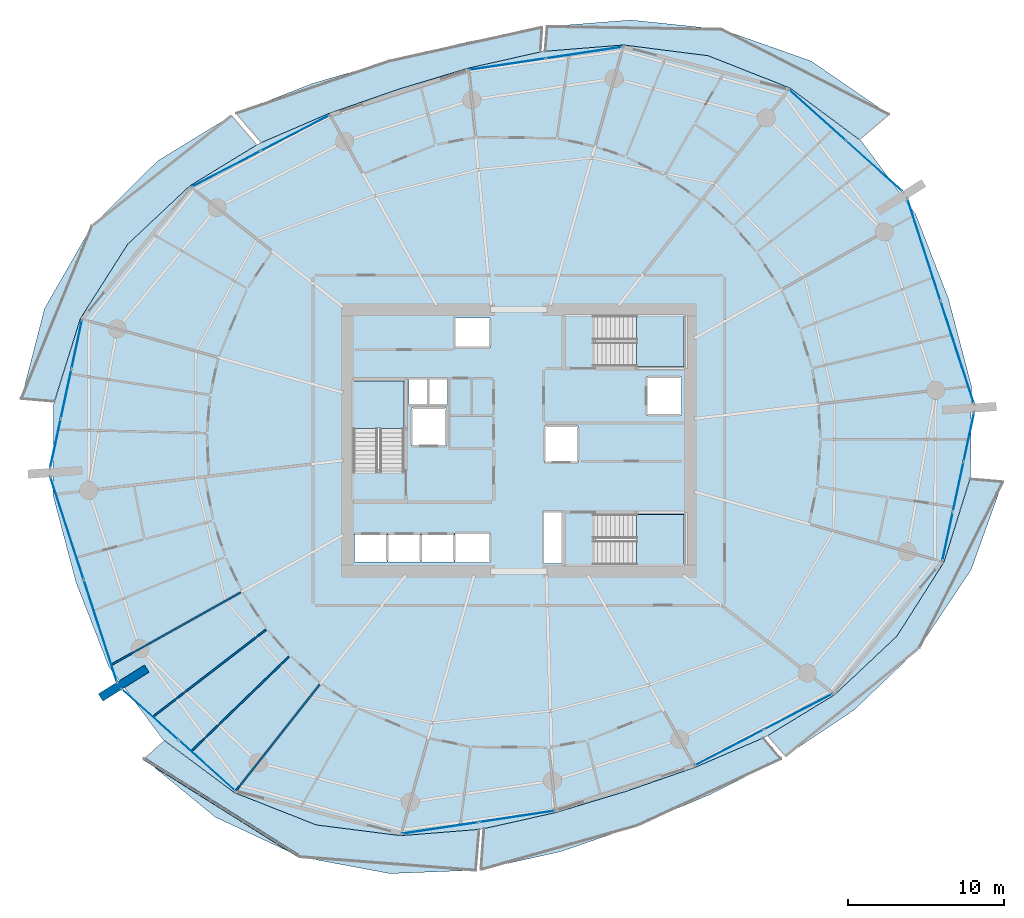
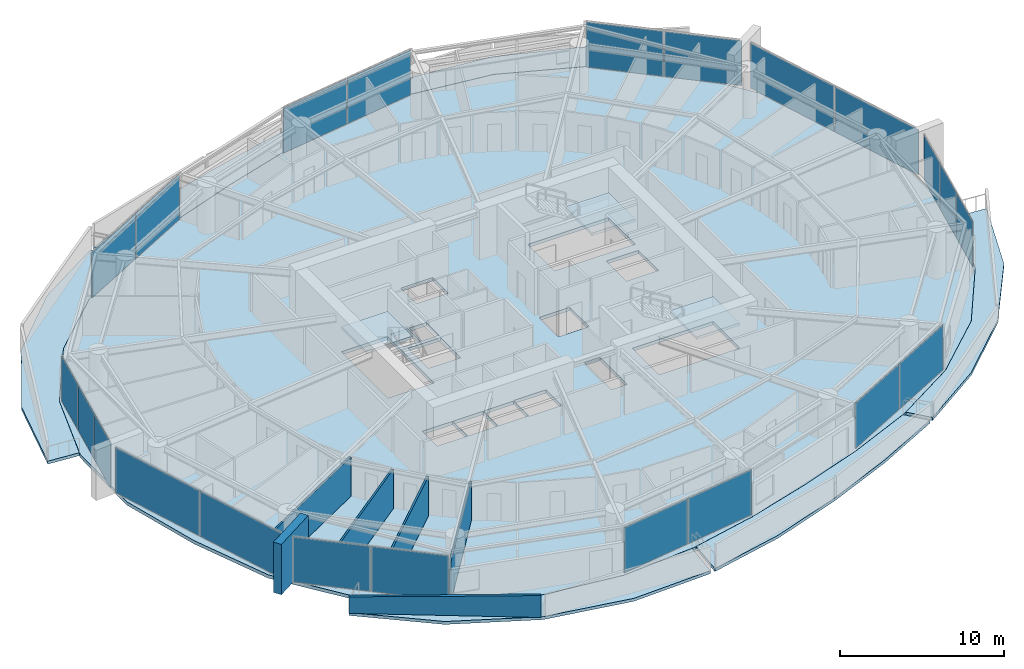
# One storey, part 10 of 23: 22 plates, 10 slabs, 6 walls, 13 elements without a shape of their own.
"""IFC4 building model written with IfcOpenShell, lengths in metres."""

from ifc_helpers import new_model, si_unit, direction, frame, frame_2d, origin, origin_2d, place, context, subcontext, project, spatial, polyline, rectangle, outline, extrude, material, layer, layer_set, type_object, element, aggregate, save


model = new_model("IFC4")

# Units and contexts
model_context = context("Model", 3, precision=1e-05, world=origin(), true_north=direction((0.0, 1.0)))
body_context = subcontext(model_context, "Body", "Model", "MODEL_VIEW")
ifc_project = project(units=[si_unit("LENGTHUNIT", "METRE"), si_unit("AREAUNIT", "SQUARE_METRE"), si_unit("VOLUMEUNIT", "CUBIC_METRE"), si_unit("PLANEANGLEUNIT", "RADIAN"), si_unit("MASSUNIT", "GRAM", prefix="KILO")], contexts=[model_context])

# Site, building, storey
site_placement = place(None, origin())
site = spatial("IfcSite", under=ifc_project, at=site_placement, CompositionType="ELEMENT")
building_placement = place(site_placement, origin())
building = spatial("IfcBuilding", under=site, at=building_placement, Name="Kazma Halo Residences", CompositionType="ELEMENT")
storey_placement = place(building_placement, frame((0.0, 0.0, 108.89990234375)))
storey = spatial("IfcBuildingStorey", under=building, at=storey_placement, Name="L27", CompositionType="ELEMENT", Elevation=108.89990234375)

# Curtain wall, plates
ifc_material_1 = material(Name="Aluminium AW-6063 T6 and Triple-Silver Low-E Glass", Category="aluminium")
ifc_layer_1 = layer(ifc_material_1, 0.199951171875)
ifc_layer_set_1 = layer_set([ifc_layer_1], Name="Aluminium AW-6063 T6 and Triple-Silver Low-E Glass")
curtain_wall_type = type_object("IfcCurtainWallType", Name="CW-SYS-3", PredefinedType="NOTDEFINED", material=ifc_layer_set_1)
curtain_wall_1_placement = place(storey_placement, origin())
curtain_wall_1 = element("IfcCurtainWall", 1, at=curtain_wall_1_placement, inside=storey, type_object=curtain_wall_type, Name="L27 unitised curtain wall B01", PredefinedType="NOTDEFINED")
ifc_material_2 = material(Name="Clear Triple-Silver Low-E Glass IGU", Category="glass")
ifc_layer_2 = layer(ifc_material_2, 0.030029296875)
ifc_layer_set_2 = layer_set([ifc_layer_2], Name="Clear Triple-Silver Low-E Glass IGU")
plate_type = type_object("IfcPlateType", Name="CW-SYS-3-PNL", PredefinedType="CURTAIN_PANEL", material=ifc_layer_set_2)
plate_1_placement = place(storey_placement, frame((71.251220703125, 59.614013671875, 0.06982421875), z_axis=(0.0, 0.0, 1.0), x_axis=(-0.744345279359, 0.667794957375, 0.0)))
plate_1 = element("IfcPlate", 2, at=plate_1_placement, type_object=plate_type, Name="CWS-3 panel 1.1", PredefinedType="CURTAIN_PANEL", context=body_context, shape_type="SweptSolid", body=[
    extrude(rectangle(XDim=4.81982421875, YDim=0.030029296875, at=origin_2d()), origin(), (0.0, 0.0, 1.0), 3.360107421875),
])
plate_2_placement = place(storey_placement, frame((67.611572265625, 62.87939453125, 0.06982421875), z_axis=(0.0, 0.0, 1.0), x_axis=(-0.744345279359, 0.667794957375, 0.0)))
plate_2 = element("IfcPlate", 3, at=plate_2_placement, type_object=plate_type, Name="CWS-3 panel 2.1", PredefinedType="CURTAIN_PANEL", context=body_context, shape_type="SweptSolid", body=[
    extrude(rectangle(XDim=4.81982421875, YDim=0.030029296875, at=origin_2d()), origin(), (0.0, 0.0, 1.0), 3.360107421875),
])
aggregate(curtain_wall_1, [plate_1, plate_2])

curtain_wall_2_placement = place(storey_placement, origin())
curtain_wall_2 = element("IfcCurtainWall", 4, at=curtain_wall_2_placement, inside=storey, type_object=curtain_wall_type, Name="L27 unitised curtain wall B03", PredefinedType="NOTDEFINED")
plate_3_placement = place(storey_placement, frame((52.625732421875, 66.900390625, 0.06982421875), z_axis=(0.0, 0.0, 1.0), x_axis=(-0.988879747814, -0.148717330409, 0.0)))
plate_3 = element("IfcPlate", 5, at=plate_3_placement, type_object=plate_type, Name="CWS-3 panel 1.1", PredefinedType="CURTAIN_PANEL", context=body_context, shape_type="SweptSolid", body=[
    extrude(rectangle(XDim=4.922607421875, YDim=0.030029296875, at=origin_2d()), origin(), (0.0, 0.0, 1.0), 3.360107421875),
])
plate_4_placement = place(storey_placement, frame((47.6884765625, 66.157958984375, 0.06982421875), z_axis=(0.0, 0.0, 1.0), x_axis=(-0.988879747814, -0.148717330409, 0.0)))
plate_4 = element("IfcPlate", 6, at=plate_4_placement, type_object=plate_type, Name="CWS-3 panel 2.1", PredefinedType="CURTAIN_PANEL", context=body_context, shape_type="SweptSolid", body=[
    extrude(rectangle(XDim=4.922607421875, YDim=0.030029296875, at=origin_2d()), origin(), (0.0, 0.0, 1.0), 3.360107421875),
])
aggregate(curtain_wall_2, [plate_3, plate_4])

curtain_wall_3_placement = place(storey_placement, origin())
curtain_wall_3 = element("IfcCurtainWall", 7, at=curtain_wall_3_placement, inside=storey, type_object=curtain_wall_type, Name="L27 unitised curtain wall B05", PredefinedType="NOTDEFINED")
plate_5_placement = place(storey_placement, frame((34.052490234375, 61.727294921875, 0.06982421875), z_axis=(0.0, 0.0, 1.0), x_axis=(-0.887435374749, -0.460932159481, 0.0)))
plate_5 = element("IfcPlate", 8, at=plate_5_placement, type_object=plate_type, Name="CWS-3 panel 1.1", PredefinedType="CURTAIN_PANEL", context=body_context, shape_type="SweptSolid", body=[
    extrude(rectangle(XDim=4.9228515625, YDim=0.030029296875, at=origin_2d()), origin(), (0.0, 0.0, 1.0), 3.360107421875),
])
plate_6_placement = place(storey_placement, frame((29.62158203125, 59.426025390625, 0.06982421875), z_axis=(0.0, 0.0, 1.0), x_axis=(-0.887435374749, -0.460932159481, 0.0)))
plate_6 = element("IfcPlate", 9, at=plate_6_placement, type_object=plate_type, Name="CWS-3 panel 2.1", PredefinedType="CURTAIN_PANEL", context=body_context, shape_type="SweptSolid", body=[
    extrude(rectangle(XDim=4.9228515625, YDim=0.030029296875, at=origin_2d()), origin(), (0.0, 0.0, 1.0), 3.360107421875),
])
aggregate(curtain_wall_3, [plate_5, plate_6])

curtain_wall_4_placement = place(storey_placement, origin())
curtain_wall_4 = element("IfcCurtainWall", 10, at=curtain_wall_4_placement, inside=storey, type_object=curtain_wall_type, Name="L27 unitised curtain wall B07", PredefinedType="NOTDEFINED")
plate_7_placement = place(storey_placement, frame((20.033447265625, 48.1669921875, 0.06982421875), z_axis=(0.0, 0.0, 1.0), x_axis=(-0.209660822677, -0.977774176093, 0.0)))
plate_7 = element("IfcPlate", 11, at=plate_7_placement, type_object=plate_type, Name="CWS-3 panel 1.1", PredefinedType="CURTAIN_PANEL", context=body_context, shape_type="SweptSolid", body=[
    extrude(rectangle(XDim=3.17822265625, YDim=0.030029296875, at=origin_2d()), origin(), (0.0, 0.0, 1.0), 3.360107421875),
])
plate_8_placement = place(storey_placement, frame((19.3486328125, 44.973876953125, 0.06982421875), z_axis=(0.0, 0.0, 1.0), x_axis=(-0.209660822677, -0.977774176093, 0.0)))
plate_8 = element("IfcPlate", 12, at=plate_8_placement, type_object=plate_type, Name="CWS-3 panel 2.1", PredefinedType="CURTAIN_PANEL", context=body_context, shape_type="SweptSolid", body=[
    extrude(rectangle(XDim=3.213134765625, YDim=0.030029296875, at=origin_2d()), origin(), (0.0, 0.0, 1.0), 3.360107421875),
])
plate_9_placement = place(storey_placement, frame((18.6640625, 41.78076171875, 0.06982421875), z_axis=(0.0, 0.0, 1.0), x_axis=(-0.209660822677, -0.977774176093, 0.0)))
plate_9 = element("IfcPlate", 13, at=plate_9_placement, type_object=plate_type, Name="CWS-3 panel 3.1", PredefinedType="CURTAIN_PANEL", context=body_context, shape_type="SweptSolid", body=[
    extrude(rectangle(XDim=3.17822265625, YDim=0.030029296875, at=origin_2d()), origin(), (0.0, 0.0, 1.0), 3.360107421875),
])
aggregate(curtain_wall_4, [plate_7, plate_8, plate_9])

curtain_wall_5_placement = place(storey_placement, origin())
curtain_wall_5 = element("IfcCurtainWall", 14, at=curtain_wall_5_placement, inside=storey, type_object=curtain_wall_type, Name="L27 unitised curtain wall B08", PredefinedType="NOTDEFINED")
plate_10_placement = place(storey_placement, frame((19.40673828125, 36.357421875, 0.06982421875), z_axis=(0.0, 0.0, 1.0), x_axis=(0.309013282008, -0.951057722508, 0.0)))
plate_10 = element("IfcPlate", 15, at=plate_10_placement, type_object=plate_type, Name="CWS-3 panel 1.1", PredefinedType="CURTAIN_PANEL", context=body_context, shape_type="SweptSolid", body=[
    extrude(rectangle(XDim=6.868896484375, YDim=0.030029296875, at=origin_2d()), origin(), (0.0, 0.0, 1.0), 3.360107421875),
])
plate_11_placement = place(storey_placement, frame((21.551025390625, 29.758056640625, 0.06982421875), z_axis=(0.0, 0.0, 1.0), x_axis=(0.309013282008, -0.951057722508, 0.0)))
plate_11 = element("IfcPlate", 16, at=plate_11_placement, type_object=plate_type, Name="CWS-3 panel 2.1", PredefinedType="CURTAIN_PANEL", context=body_context, shape_type="SweptSolid", body=[
    extrude(rectangle(XDim=6.868896484375, YDim=0.030029296875, at=origin_2d()), origin(), (0.0, 0.0, 1.0), 3.360107421875),
])
aggregate(curtain_wall_5, [plate_10, plate_11])

curtain_wall_6_placement = place(storey_placement, origin())
curtain_wall_6 = element("IfcCurtainWall", 17, at=curtain_wall_6_placement, inside=storey, type_object=curtain_wall_type, Name="L27 unitised curtain wall B09", PredefinedType="NOTDEFINED")
plate_12_placement = place(storey_placement, frame((24.748779296875, 24.385986328125, 0.06982421875), z_axis=(0.0, 0.0, 1.0), x_axis=(0.744345279359, -0.667794957375, 0.0)))
plate_12 = element("IfcPlate", 18, at=plate_12_placement, type_object=plate_type, Name="CWS-3 panel 1.1", PredefinedType="CURTAIN_PANEL", context=body_context, shape_type="SweptSolid", body=[
    extrude(rectangle(XDim=4.81982421875, YDim=0.030029296875, at=origin_2d()), origin(), (0.0, 0.0, 1.0), 3.360107421875),
])
plate_13_placement = place(storey_placement, frame((28.388427734375, 21.12060546875, 0.06982421875), z_axis=(0.0, 0.0, 1.0), x_axis=(0.744345279359, -0.667794957375, 0.0)))
plate_13 = element("IfcPlate", 19, at=plate_13_placement, type_object=plate_type, Name="CWS-3 panel 2.1", PredefinedType="CURTAIN_PANEL", context=body_context, shape_type="SweptSolid", body=[
    extrude(rectangle(XDim=4.81982421875, YDim=0.030029296875, at=origin_2d()), origin(), (0.0, 0.0, 1.0), 3.360107421875),
])
aggregate(curtain_wall_6, [plate_12, plate_13])

curtain_wall_7_placement = place(storey_placement, origin())
curtain_wall_7 = element("IfcCurtainWall", 20, at=curtain_wall_7_placement, inside=storey, type_object=curtain_wall_type, Name="L27 unitised curtain wall B11", PredefinedType="NOTDEFINED")
plate_14_placement = place(storey_placement, frame((43.374267578125, 17.099609375, 0.06982421875), z_axis=(0.0, 0.0, 1.0), x_axis=(0.988879747814, 0.148717330409, 0.0)))
plate_14 = element("IfcPlate", 21, at=plate_14_placement, type_object=plate_type, Name="CWS-3 panel 1.1", PredefinedType="CURTAIN_PANEL", context=body_context, shape_type="SweptSolid", body=[
    extrude(rectangle(XDim=4.922607421875, YDim=0.030029296875, at=origin_2d()), origin(), (0.0, 0.0, 1.0), 3.360107421875),
])
plate_15_placement = place(storey_placement, frame((48.3115234375, 17.842041015625, 0.06982421875), z_axis=(0.0, 0.0, 1.0), x_axis=(0.988879747814, 0.148717330409, 0.0)))
plate_15 = element("IfcPlate", 22, at=plate_15_placement, type_object=plate_type, Name="CWS-3 panel 2.1", PredefinedType="CURTAIN_PANEL", context=body_context, shape_type="SweptSolid", body=[
    extrude(rectangle(XDim=4.922607421875, YDim=0.030029296875, at=origin_2d()), origin(), (0.0, 0.0, 1.0), 3.360107421875),
])
aggregate(curtain_wall_7, [plate_14, plate_15])

curtain_wall_8_placement = place(storey_placement, origin())
curtain_wall_8 = element("IfcCurtainWall", 23, at=curtain_wall_8_placement, inside=storey, type_object=curtain_wall_type, Name="L27 unitised curtain wall B13", PredefinedType="NOTDEFINED")
plate_16_placement = place(storey_placement, frame((61.947509765625, 22.272705078125, 0.06982421875), z_axis=(0.0, 0.0, 1.0), x_axis=(0.887435374749, 0.460932159481, 0.0)))
plate_16 = element("IfcPlate", 24, at=plate_16_placement, type_object=plate_type, Name="CWS-3 panel 1.1", PredefinedType="CURTAIN_PANEL", context=body_context, shape_type="SweptSolid", body=[
    extrude(rectangle(XDim=4.9228515625, YDim=0.030029296875, at=origin_2d()), origin(), (0.0, 0.0, 1.0), 3.360107421875),
])
plate_17_placement = place(storey_placement, frame((66.37841796875, 24.573974609375, 0.06982421875), z_axis=(0.0, 0.0, 1.0), x_axis=(0.887435374749, 0.460932159481, 0.0)))
plate_17 = element("IfcPlate", 25, at=plate_17_placement, type_object=plate_type, Name="CWS-3 panel 2.1", PredefinedType="CURTAIN_PANEL", context=body_context, shape_type="SweptSolid", body=[
    extrude(rectangle(XDim=4.9228515625, YDim=0.030029296875, at=origin_2d()), origin(), (0.0, 0.0, 1.0), 3.360107421875),
])
aggregate(curtain_wall_8, [plate_16, plate_17])

curtain_wall_9_placement = place(storey_placement, origin())
curtain_wall_9 = element("IfcCurtainWall", 26, at=curtain_wall_9_placement, inside=storey, type_object=curtain_wall_type, Name="L27 unitised curtain wall B15", PredefinedType="NOTDEFINED")
plate_18_placement = place(storey_placement, frame((75.966552734375, 35.8330078125, 0.06982421875), z_axis=(0.0, 0.0, 1.0), x_axis=(0.209660822677, 0.977774176093, 0.0)))
plate_18 = element("IfcPlate", 27, at=plate_18_placement, type_object=plate_type, Name="CWS-3 panel 1.1", PredefinedType="CURTAIN_PANEL", context=body_context, shape_type="SweptSolid", body=[
    extrude(rectangle(XDim=3.17822265625, YDim=0.030029296875, at=origin_2d()), origin(), (0.0, 0.0, 1.0), 3.360107421875),
])
plate_19_placement = place(storey_placement, frame((76.6513671875, 39.026123046875, 0.06982421875), z_axis=(0.0, 0.0, 1.0), x_axis=(0.209660822677, 0.977774176093, 0.0)))
plate_19 = element("IfcPlate", 28, at=plate_19_placement, type_object=plate_type, Name="CWS-3 panel 2.1", PredefinedType="CURTAIN_PANEL", context=body_context, shape_type="SweptSolid", body=[
    extrude(rectangle(XDim=3.213134765625, YDim=0.030029296875, at=origin_2d()), origin(), (0.0, 0.0, 1.0), 3.360107421875),
])
plate_20_placement = place(storey_placement, frame((77.3359375, 42.21923828125, 0.06982421875), z_axis=(0.0, 0.0, 1.0), x_axis=(0.209660822677, 0.977774176093, 0.0)))
plate_20 = element("IfcPlate", 29, at=plate_20_placement, type_object=plate_type, Name="CWS-3 panel 3.1", PredefinedType="CURTAIN_PANEL", context=body_context, shape_type="SweptSolid", body=[
    extrude(rectangle(XDim=3.17822265625, YDim=0.030029296875, at=origin_2d()), origin(), (0.0, 0.0, 1.0), 3.360107421875),
])
aggregate(curtain_wall_9, [plate_18, plate_19, plate_20])

curtain_wall_10_placement = place(storey_placement, origin())
curtain_wall_10 = element("IfcCurtainWall", 30, at=curtain_wall_10_placement, inside=storey, type_object=curtain_wall_type, Name="L27 unitised curtain wall B16", PredefinedType="NOTDEFINED")
plate_21_placement = place(storey_placement, frame((76.59326171875, 47.642578125, 0.06982421875), z_axis=(0.0, 0.0, 1.0), x_axis=(-0.309013282008, 0.951057722508, 0.0)))
plate_21 = element("IfcPlate", 31, at=plate_21_placement, type_object=plate_type, Name="CWS-3 panel 1.1", PredefinedType="CURTAIN_PANEL", context=body_context, shape_type="SweptSolid", body=[
    extrude(rectangle(XDim=6.868896484375, YDim=0.030029296875, at=origin_2d()), origin(), (0.0, 0.0, 1.0), 3.360107421875),
])
plate_22_placement = place(storey_placement, frame((74.448974609375, 54.241943359375, 0.06982421875), z_axis=(0.0, 0.0, 1.0), x_axis=(-0.309013282008, 0.951057722508, 0.0)))
plate_22 = element("IfcPlate", 32, at=plate_22_placement, type_object=plate_type, Name="CWS-3 panel 2.1", PredefinedType="CURTAIN_PANEL", context=body_context, shape_type="SweptSolid", body=[
    extrude(rectangle(XDim=6.868896484375, YDim=0.030029296875, at=origin_2d()), origin(), (0.0, 0.0, 1.0), 3.360107421875),
])
aggregate(curtain_wall_10, [plate_21, plate_22])

# Slabs
ifc_material_3 = material(Name="White Concrete C50/60", Category="concrete")
ifc_layer_3 = layer(ifc_material_3, 0.219970703125)
ifc_layer_set_3 = layer_set([ifc_layer_3], Name="White Concrete C50/60")
slab_type_1 = type_object("IfcSlabType", Name="SLB-BAL-WAVE-210", PredefinedType="FLOOR", material=ifc_layer_set_3)
slab_1_placement = place(storey_placement, frame((0.0, 0.0, -0.219970703125)))
element("IfcSlab", 33, at=slab_1_placement, inside=storey, type_object=slab_type_1, Name="L27 NE cantilevered wave balcony slab", PredefinedType="FLOOR", context=body_context, shape_type="SweptSolid", body=[
    extrude(outline(polyline([(70.323974609375, 61.303466796875), (65.841064453125, 64.63134765625), (60.5869140625, 66.702880859375), (55.161865234375, 67.394287109375), (50.12060546875, 66.992431640625), (50.255126953125, 68.57666015625), (55.614013671875, 68.997314453125), (61.448974609375, 68.39501953125), (67.202880859375, 66.358642578125), (72.20068359375, 62.92626953125), (70.323974609375, 61.303466796875)])), origin(), (0.0, 0.0, 1.0), 0.219970703125),
])
slab_2_placement = place(storey_placement, frame((0.0, 0.0, -0.219970703125)))
element("IfcSlab", 34, at=slab_2_placement, inside=storey, type_object=slab_type_1, Name="L27 NNW cantilevered wave balcony slab", PredefinedType="FLOOR", context=body_context, shape_type="SweptSolid", body=[
    extrude(outline(polyline([(49.81005859375, 66.94580078125), (45.1708984375, 65.902587890625), (40.675048828125, 64.544189453125), (36.239013671875, 63.00048828125), (31.872802734375, 61.11767578125), (30.28271484375, 63.002685546875), (35.164306640625, 64.91943359375), (40.088134765625, 66.35009765625), (44.97509765625, 67.556640625), (49.9248046875, 68.52685546875), (49.81005859375, 66.94580078125)])), origin(), (0.0, 0.0, 1.0), 0.219970703125),
])
slab_3_placement = place(storey_placement, frame((0.0, 0.0, -0.219970703125)))
element("IfcSlab", 35, at=slab_3_placement, inside=storey, type_object=slab_type_1, Name="L27 NW cantilevered wave balcony slab", PredefinedType="FLOOR", context=body_context, shape_type="SweptSolid", body=[
    extrude(outline(polyline([(31.59423828125, 60.972900390625), (27.279541015625, 58.334716796875), (23.297119140625, 54.5869140625), (20.263916015625, 49.822509765625), (18.59326171875, 44.4951171875), (16.47119140625, 44.67529296875), (17.966552734375, 50.47021484375), (20.999755859375, 55.75732421875), (25.231201171875, 59.949462890625), (29.96923828125, 62.851806640625), (31.59423828125, 60.972900390625)])), origin(), (0.0, 0.0, 1.0), 0.219970703125),
])
slab_4_placement = place(storey_placement, frame((0.0, 0.0, -0.219970703125)))
element("IfcSlab", 36, at=slab_4_placement, inside=storey, type_object=slab_type_1, Name="L27 SW cantilevered wave balcony slab", PredefinedType="FLOOR", context=body_context, shape_type="SweptSolid", body=[
    extrude(outline(polyline([(25.676025390625, 22.696533203125), (30.158935546875, 19.36865234375), (35.4130859375, 17.297119140625), (40.838134765625, 16.605712890625), (45.87939453125, 17.007568359375), (45.656982421875, 14.38720703125), (40.151123046875, 14.17041015625), (34.370361328125, 15.25048828125), (28.9228515625, 17.80078125), (24.345458984375, 21.5458984375), (25.676025390625, 22.696533203125)])), origin(), (0.0, 0.0, 1.0), 0.219970703125),
])
slab_5_placement = place(storey_placement, frame((0.0, 0.0, -0.219970703125)))
element("IfcSlab", 37, at=slab_5_placement, inside=storey, type_object=slab_type_1, Name="L27 SSE cantilevered wave balcony slab", PredefinedType="FLOOR", context=body_context, shape_type="SweptSolid", body=[
    extrude(outline(polyline([(46.18994140625, 17.05419921875), (50.8291015625, 18.097412109375), (55.324951171875, 19.455810546875), (59.760986328125, 20.99951171875), (64.127197265625, 22.88232421875), (65.251708984375, 21.549072265625), (60.736328125, 19.257568359375), (56.034912109375, 17.271240234375), (51.12646484375, 15.58447265625), (46.0, 14.43603515625), (46.18994140625, 17.05419921875)])), origin(), (0.0, 0.0, 1.0), 0.219970703125),
])
slab_6_placement = place(storey_placement, frame((0.0, 0.0, -0.219970703125)))
element("IfcSlab", 38, at=slab_6_placement, inside=storey, type_object=slab_type_1, Name="L27 SE cantilevered wave balcony slab", PredefinedType="FLOOR", context=body_context, shape_type="SweptSolid", body=[
    extrude(outline(polyline([(64.40576171875, 23.027099609375), (68.720458984375, 25.665283203125), (72.702880859375, 29.4130859375), (75.736083984375, 34.177490234375), (77.40673828125, 39.5048828125), (79.509765625, 39.326416015625), (77.477294921875, 33.6865234375), (74.144287109375, 28.678955078125), (69.967529296875, 24.68212890625), (65.541015625, 21.714599609375), (64.40576171875, 23.027099609375)])), origin(), (0.0, 0.0, 1.0), 0.219970703125),
])
ifc_material_4 = material(Name="Concrete C50/60", Category="concrete")
ifc_layer_4 = layer(ifc_material_4, 0.25)
ifc_layer_set_4 = layer_set([ifc_layer_4], Name="Concrete C50/60")
slab_type_2 = type_object("IfcSlabType", Name="SLB-RES-250", PredefinedType="FLOOR", material=ifc_layer_set_4)
slab_7_placement = place(storey_placement, frame((0.0, 0.0, -0.25)))
element("IfcSlab", 39, at=slab_7_placement, inside=storey, type_object=slab_type_2, Name="L27 structural floor slab", PredefinedType="FLOOR", context=body_context, shape_type="SweptSolid", body=[
    extrude(outline(polyline([(76.02001953125, 51.104248046875), (73.918212890625, 56.514892578125), (70.459716796875, 61.182373046875), (65.83984375, 64.629638671875), (60.5859375, 66.701171875), (55.161376953125, 67.392333984375), (49.9658203125, 66.976806640625), (45.171142578125, 65.900634765625), (40.675537109375, 64.542236328125), (36.239990234375, 62.998779296875), (31.728759765625, 61.05126953125), (27.281005859375, 58.33349609375), (23.298828125, 54.5859375), (20.265869140625, 49.82177734375), (18.554443359375, 44.3173828125), (18.500244140625, 38.508544921875), (19.97998046875, 32.895751953125), (22.081787109375, 27.485107421875), (25.540283203125, 22.817626953125), (30.16015625, 19.370361328125), (35.4140625, 17.298828125), (40.838623046875, 16.607666015625), (46.0341796875, 17.023193359375), (50.828857421875, 18.099365234375), (55.324462890625, 19.457763671875), (59.760009765625, 21.001220703125), (64.271240234375, 22.94873046875), (68.718994140625, 25.66650390625), (72.701171875, 29.4140625), (75.734130859375, 34.17822265625), (77.445556640625, 39.6826171875), (77.499755859375, 45.491455078125), (76.02001953125, 51.104248046875)]), holes=[polyline([(37.800048828125, 40.110107421875), (41.050048828125, 40.110107421875), (41.050048828125, 45.800048828125), (37.800048828125, 45.800048828125), (37.800048828125, 40.110107421875)]), polyline([(53.360107421875, 46.75), (59.050048828125, 46.75), (59.050048828125, 50.0), (53.360107421875, 50.0), (53.360107421875, 46.75)]), polyline([(53.360107421875, 34.0), (59.050048828125, 34.0), (59.050048828125, 37.25), (53.360107421875, 37.25), (53.360107421875, 34.0)]), polyline([(41.52001953125, 41.6201171875), (43.780029296875, 41.6201171875), (43.780029296875, 44.080078125), (41.52001953125, 44.080078125), (41.52001953125, 41.6201171875)]), polyline([(56.6201171875, 43.6201171875), (58.8798828125, 43.6201171875), (58.8798828125, 46.080078125), (56.6201171875, 46.080078125), (56.6201171875, 43.6201171875)]), polyline([(37.864990234375, 34.195068359375), (39.97509765625, 34.195068359375), (39.97509765625, 36.0048828125), (37.864990234375, 36.0048828125), (37.864990234375, 34.195068359375)]), polyline([(40.014892578125, 34.195068359375), (42.125, 34.195068359375), (42.125, 36.0048828125), (40.014892578125, 36.0048828125), (40.014892578125, 34.195068359375)]), polyline([(42.1650390625, 34.195068359375), (44.27490234375, 34.195068359375), (44.27490234375, 36.0048828125), (42.1650390625, 36.0048828125), (42.1650390625, 34.195068359375)]), polyline([(44.320068359375, 47.945068359375), (46.580078125, 47.945068359375), (46.580078125, 49.85498046875), (44.320068359375, 49.85498046875), (44.320068359375, 47.945068359375)]), polyline([(44.320068359375, 34.14501953125), (46.580078125, 34.14501953125), (46.580078125, 36.054931640625), (44.320068359375, 36.054931640625), (44.320068359375, 34.14501953125)]), polyline([(50.070068359375, 40.570068359375), (52.22998046875, 40.570068359375), (52.22998046875, 42.929931640625), (50.070068359375, 42.929931640625), (50.070068359375, 40.570068359375)]), polyline([(41.360107421875, 44.340087890625), (42.5400390625, 44.340087890625), (42.5400390625, 45.89990234375), (41.360107421875, 45.89990234375), (41.360107421875, 44.340087890625)]), polyline([(42.659912109375, 44.340087890625), (43.840087890625, 44.340087890625), (43.840087890625, 45.89990234375), (42.659912109375, 45.89990234375), (42.659912109375, 44.340087890625)]), polyline([(50.06005859375, 34.080078125), (51.159912109375, 34.080078125), (51.159912109375, 37.3798828125), (50.06005859375, 37.3798828125), (50.06005859375, 34.080078125)])]), origin(), (0.0, 0.0, 1.0), 0.25),
])

# Stair, slab
stair_type = type_object("IfcStairType", Name="STR-RES1", PredefinedType="HALF_TURN_STAIR", material=ifc_material_4)
stair_1_placement = place(storey_placement, origin())
stair_1 = element("IfcStair", 40, at=stair_1_placement, inside=storey, type_object=stair_type, Name="L27 Core exit stair ST-01", PredefinedType="HALF_TURN_STAIR")
ifc_layer_5 = layer(ifc_material_4, 0.199951171875)
ifc_layer_set_5 = layer_set([ifc_layer_5], Name="Concrete C50/60")
slab_type_3 = type_object("IfcSlabType", Name="SLB-STAIR-LND-200", PredefinedType="LANDING", material=ifc_layer_set_5)
slab_8_placement = place(storey_placement, frame((0.0, 0.0, 1.675048828125)))
slab_8 = element("IfcSlab", 41, at=slab_8_placement, type_object=slab_type_3, Name="ST-01 landing 1", PredefinedType="LANDING", context=body_context, shape_type="SweptSolid", body=[
    extrude(outline(polyline([(41.050048828125, 42.75), (41.050048828125, 45.800048828125), (37.800048828125, 45.800048828125), (37.800048828125, 42.75), (41.050048828125, 42.75)])), origin(), (0.0, 0.0, 1.0), 0.199951171875),
])
aggregate(stair_1, [slab_8])

stair_2_placement = place(storey_placement, origin())
stair_2 = element("IfcStair", 42, at=stair_2_placement, inside=storey, type_object=stair_type, Name="L27 Core exit stair ST-02", PredefinedType="HALF_TURN_STAIR")
slab_9_placement = place(storey_placement, frame((0.0, 0.0, 1.675048828125)))
slab_9 = element("IfcSlab", 43, at=slab_9_placement, type_object=slab_type_3, Name="ST-02 landing 1", PredefinedType="LANDING", context=body_context, shape_type="SweptSolid", body=[
    extrude(outline(polyline([(56.0, 46.75), (59.050048828125, 46.75), (59.050048828125, 50.0), (56.0, 50.0), (56.0, 46.75)])), origin(), (0.0, 0.0, 1.0), 0.199951171875),
])
aggregate(stair_2, [slab_9])

stair_3_placement = place(storey_placement, origin())
stair_3 = element("IfcStair", 44, at=stair_3_placement, inside=storey, type_object=stair_type, Name="L27 Core exit stair ST-03", PredefinedType="HALF_TURN_STAIR")
slab_10_placement = place(storey_placement, frame((0.0, 0.0, 1.675048828125)))
slab_10 = element("IfcSlab", 45, at=slab_10_placement, type_object=slab_type_3, Name="ST-03 landing 1", PredefinedType="LANDING", context=body_context, shape_type="SweptSolid", body=[
    extrude(outline(polyline([(56.0, 34.0), (59.050048828125, 34.0), (59.050048828125, 37.25), (56.0, 37.25), (56.0, 34.0)])), origin(), (0.0, 0.0, 1.0), 0.199951171875),
])
aggregate(stair_3, [slab_10])

# Walls
ifc_material_5 = material(Name="White Concrete C50/60 Balustrade", Category="concrete")
ifc_layer_6 = layer(ifc_material_5, 0.179931640625)
ifc_layer_set_6 = layer_set([ifc_layer_6], Name="White Concrete C50/60 Balustrade")
wall_type_1 = type_object("IfcWallType", Name="WL-BAL-WAVE-180", PredefinedType="PARAPET", material=ifc_layer_set_6)
wall_1_placement = place(storey_placement, frame((24.345458984375, 21.5458984375, 0.0), z_axis=(0.0, 0.0, 1.0), x_axis=(0.846860965628, -0.531814351908, 0.0)))
element("IfcWall", 46, at=wall_1_placement, inside=storey, type_object=wall_type_1, Name="L27 white wave balustrade wall SW.1", PredefinedType="PARAPET", context=body_context, shape_type="SweptSolid", body=[
    extrude(outline(polyline([(0.0, 0.0), (11.7177734375, 0.0), (11.7177734375, 1.632080078125), (5.85888671875, 1.418212890625), (0.0, 1.233154296875), (0.0, 0.0)])), frame((0.0, 0.08984375, 0.0), z_axis=(0.0, -1.0, 0.0), x_axis=(1.0, 0.0, 0.0)), (0.0, 0.0, 1.0), 0.179931640625),
])
ifc_material_6 = material(Name="Pale Concrete C60/75", Category="concrete")
ifc_layer_7 = layer(ifc_material_6, 0.550048828125)
ifc_layer_set_7 = layer_set([ifc_layer_7], Name="Pale Concrete C60/75")
wall_type_2 = type_object("IfcWallType", Name="WL-BLADE-550", PredefinedType="SOLIDWALL", material=ifc_layer_set_7)
wall_2_placement = place(storey_placement, frame((24.531494140625, 27.335205078125, 0.0), z_axis=(0.0, 0.0, 1.0), x_axis=(-0.848053161125, -0.529911158502, 0.0)))
element("IfcWall", 47, at=wall_2_placement, inside=storey, type_object=wall_type_2, Name="L27 pale concrete structural blade fin wall BW-03", PredefinedType="SOLIDWALL", context=body_context, shape_type="SweptSolid", body=[
    extrude(rectangle(XDim=3.5, YDim=0.550048828125, at=frame_2d((1.75, 0.0))), origin(), (0.0, 0.0, 1.0), 3.75),
])
ifc_material_7 = material(Name="Gypsum Plasterboard Partition")
ifc_layer_8 = layer(ifc_material_7, 0.125)
ifc_layer_set_8 = layer_set([ifc_layer_8], Name="Gypsum Plasterboard Partition")
wall_type_3 = type_object("IfcWallType", Name="WL-PART-125", PredefinedType="PARTITIONING", material=ifc_layer_set_8)
wall_3_placement = place(storey_placement, frame((30.57470703125, 32.2412109375, 0.0), z_axis=(0.0, 0.0, 1.0), x_axis=(-0.872502512898, -0.488609624328, 0.0)))
element("IfcWall", 48, at=wall_3_placement, inside=storey, type_object=wall_type_3, Name="L27 Apartment 2 radial partition 8", PredefinedType="PARTITIONING", context=body_context, shape_type="SweptSolid", body=[
    extrude(rectangle(XDim=9.507568359375, YDim=0.125, at=frame_2d((4.75390625, 0.0))), origin(), (0.0, 0.0, 1.0), 2.940185546875),
])
wall_4_placement = place(storey_placement, frame((32.178955078125, 29.8271484375, 0.0), z_axis=(0.0, 0.0, 1.0), x_axis=(-0.792545547833, -0.609812720932, 0.0)))
element("IfcWall", 49, at=wall_4_placement, inside=storey, type_object=wall_type_3, Name="L27 Apartment 2 bay wall 1 8", PredefinedType="PARTITIONING", context=body_context, shape_type="SweptSolid", body=[
    extrude(rectangle(XDim=9.141357421875, YDim=0.125, at=frame_2d((4.57080078125, 0.0))), origin(), (0.0, 0.0, 1.0), 2.940185546875),
])
wall_5_placement = place(storey_placement, frame((33.664794921875, 28.108154296875, 0.0), z_axis=(0.0, 0.0, 1.0), x_axis=(-0.718119545748, -0.695919764064, 0.0)))
element("IfcWall", 50, at=wall_5_placement, inside=storey, type_object=wall_type_3, Name="L27 Apartment 2 bay wall 2 8", PredefinedType="PARTITIONING", context=body_context, shape_type="SweptSolid", body=[
    extrude(rectangle(XDim=8.720947265625, YDim=0.125, at=frame_2d((4.3603515625, 0.0))), origin(), (0.0, 0.0, 1.0), 2.940185546875),
])
wall_6_placement = place(storey_placement, frame((35.635498046875, 26.315673828125, 0.0), z_axis=(0.0, 0.0, 1.0), x_axis=(-0.619089966413, -0.785320070727, 0.0)))
element("IfcWall", 51, at=wall_6_placement, inside=storey, type_object=wall_type_3, Name="L27 Apartment 2 radial partition 9", PredefinedType="PARTITIONING", context=body_context, shape_type="SweptSolid", body=[
    extrude(rectangle(XDim=8.698974609375, YDim=0.125, at=frame_2d((4.349609375, 0.0))), origin(), (0.0, 0.0, 1.0), 2.940185546875),
])

save(model, "model.ifc")
